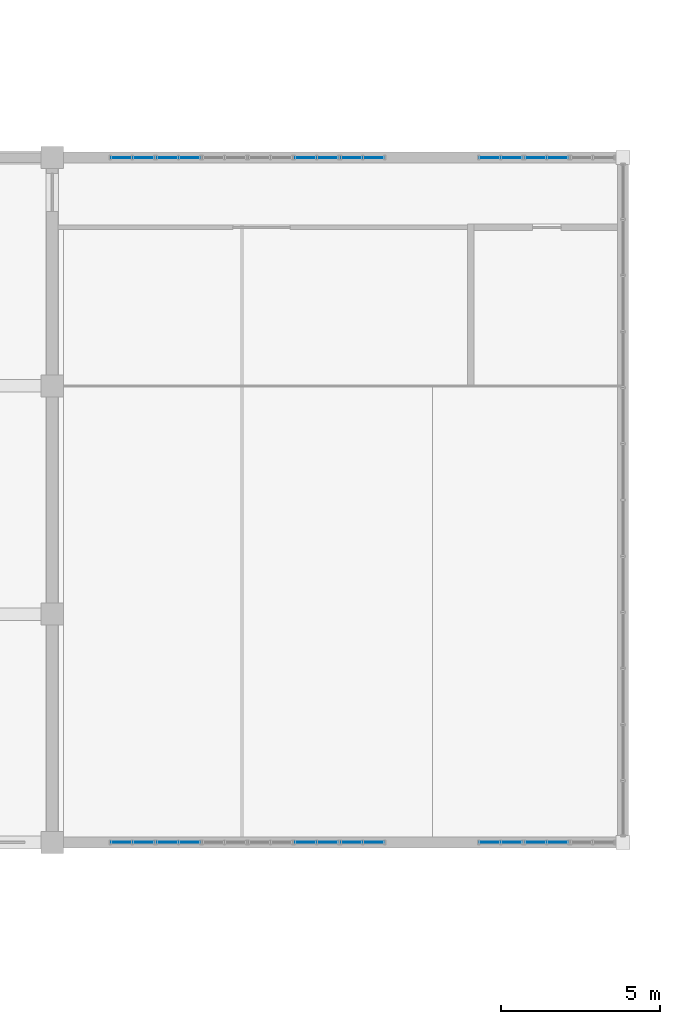
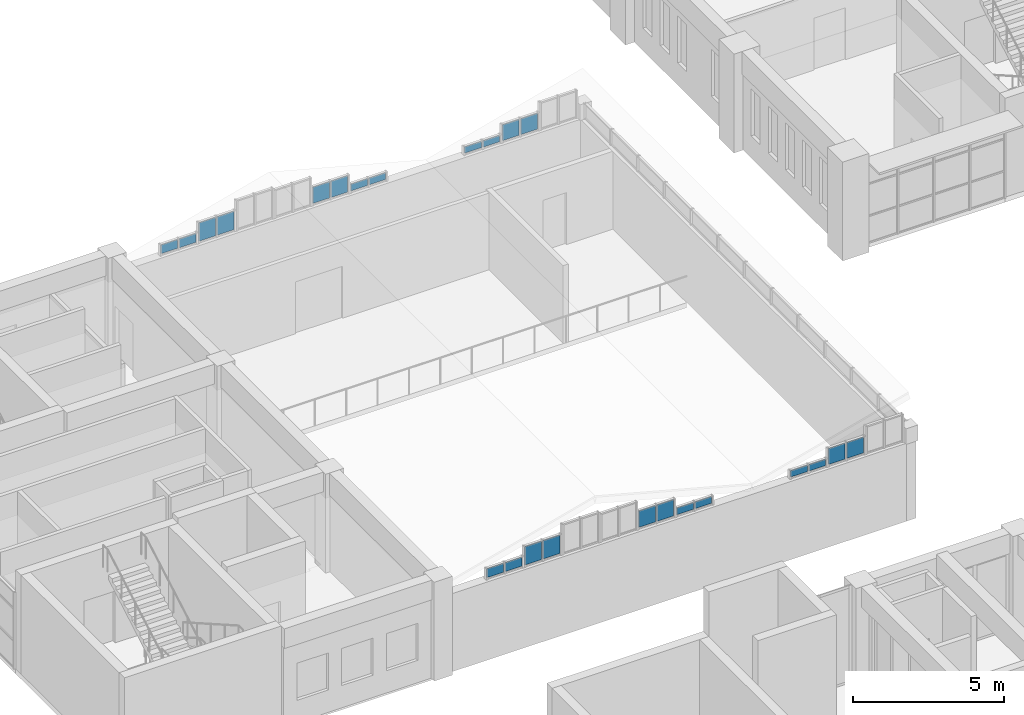
# One storey, part 59 of 92: 24 plates, 12 elements without a shape of their own.
"""IFC4 building model written with IfcOpenShell, lengths in metres."""

from ifc_helpers import new_model, si_unit, direction, frame, origin, origin_2d, place, context, subcontext, project, spatial, rectangle, extrude, material, layer, layer_set, type_object, element, aggregate, save


model = new_model("IFC4")

# Units and contexts
model_context = context("Model", 3, precision=1e-05, world=origin(), true_north=direction((0.0, 1.0)))
body_context = subcontext(model_context, "Body", "Model", "MODEL_VIEW")
ifc_project = project(units=[si_unit("LENGTHUNIT", "METRE"), si_unit("AREAUNIT", "SQUARE_METRE"), si_unit("VOLUMEUNIT", "CUBIC_METRE"), si_unit("PLANEANGLEUNIT", "RADIAN"), si_unit("MASSUNIT", "GRAM", prefix="KILO")], contexts=[model_context])

# Site, building, storey
site_placement = place(None, origin())
site = spatial("IfcSite", under=ifc_project, at=site_placement, CompositionType="ELEMENT")
building_placement = place(site_placement, origin())
building = spatial("IfcBuilding", under=site, at=building_placement, Name="Laocheng Heights Fire and Rescue Headquarters", CompositionType="ELEMENT")
storey_placement = place(building_placement, frame((0.0, 0.0, 12.60009765625)))
storey = spatial("IfcBuildingStorey", under=building, at=storey_placement, Name="L03", CompositionType="ELEMENT", Elevation=12.60009765625)

# Curtain wall, plates
ifc_material_1 = material(Name="Dark anodised aluminium unitised curtain wall, low-e double glazing", Category="aluminium")
curtain_wall_type_1 = type_object("IfcCurtainWallType", Name="CW 1452 x 453 THEATRE GABLE UNIT", PredefinedType="NOTDEFINED", material=ifc_material_1)
curtain_wall_1_placement = place(storey_placement, origin())
curtain_wall_1 = element("IfcCurtainWall", 1, at=curtain_wall_1_placement, inside=storey, type_object=curtain_wall_type_1, Name="X6-V THEATRE SOUTH GABLE 2", PredefinedType="NOTDEFINED")
ifc_material_2 = material(Name="Low-e double glazed unit, laminated inner pane")
ifc_layer = layer(ifc_material_2, 0.028076171875)
ifc_layer_set = layer_set([ifc_layer], Name="Low-e double glazed unit, laminated inner pane")
plate_type = type_object("IfcPlateType", Name="CW VISION PANEL 28 V", PredefinedType="CURTAIN_PANEL", material=ifc_layer_set)
plate_1_placement = place(storey_placement, frame((14.18017578125, 36.0, 3.20849609375), z_axis=(0.0, 0.0, 1.0), x_axis=(1.0, 0.0, 0.0)))
plate_1 = element("IfcPlate", 2, at=plate_1_placement, type_object=plate_type, Name="X6-V panel 1.1", PredefinedType="CURTAIN_PANEL", context=body_context, shape_type="SweptSolid", body=[
    extrude(rectangle(XDim=0.635986328125, YDim=0.028076171875, at=origin_2d()), origin(), (0.0, 0.0, 1.0), 0.353271484375),
])
plate_2_placement = place(storey_placement, frame((14.876220703125, 36.0, 3.20849609375), z_axis=(0.0, 0.0, 1.0), x_axis=(1.0, 0.0, 0.0)))
plate_2 = element("IfcPlate", 3, at=plate_2_placement, type_object=plate_type, Name="X6-V panel 2.1", PredefinedType="CURTAIN_PANEL", context=body_context, shape_type="SweptSolid", body=[
    extrude(rectangle(XDim=0.635986328125, YDim=0.028076171875, at=origin_2d()), origin(), (0.0, 0.0, 1.0), 0.353271484375),
])
aggregate(curtain_wall_1, [plate_1, plate_2])

ifc_material_3 = material(Name="Dark anodised aluminium unitised curtain wall, low-e double glazing", Category="aluminium")
curtain_wall_type_2 = type_object("IfcCurtainWallType", Name="CW 1452 x 841 THEATRE GABLE UNIT", PredefinedType="NOTDEFINED", material=ifc_material_3)
curtain_wall_2_placement = place(storey_placement, origin())
curtain_wall_2 = element("IfcCurtainWall", 4, at=curtain_wall_2_placement, inside=storey, type_object=curtain_wall_type_2, Name="X7-V THEATRE SOUTH GABLE 3", PredefinedType="NOTDEFINED")
plate_3_placement = place(storey_placement, frame((15.632080078125, 36.0, 3.20849609375), z_axis=(0.0, 0.0, 1.0), x_axis=(1.0, 0.0, 0.0)))
plate_3 = element("IfcPlate", 5, at=plate_3_placement, type_object=plate_type, Name="X7-V panel 1.1", PredefinedType="CURTAIN_PANEL", context=body_context, shape_type="SweptSolid", body=[
    extrude(rectangle(XDim=0.635986328125, YDim=0.028076171875, at=origin_2d()), origin(), (0.0, 0.0, 1.0), 0.740478515625),
])
plate_4_placement = place(storey_placement, frame((16.328125, 36.0, 3.20849609375), z_axis=(0.0, 0.0, 1.0), x_axis=(1.0, 0.0, 0.0)))
plate_4 = element("IfcPlate", 6, at=plate_4_placement, type_object=plate_type, Name="X7-V panel 2.1", PredefinedType="CURTAIN_PANEL", context=body_context, shape_type="SweptSolid", body=[
    extrude(rectangle(XDim=0.635986328125, YDim=0.028076171875, at=origin_2d()), origin(), (0.0, 0.0, 1.0), 0.740478515625),
])
aggregate(curtain_wall_2, [plate_3, plate_4])

ifc_material_4 = material(Name="Dark anodised aluminium unitised curtain wall, low-e double glazing", Category="aluminium")
curtain_wall_type_3 = type_object("IfcCurtainWallType", Name="CW 1452 x 756 THEATRE GABLE UNIT", PredefinedType="NOTDEFINED", material=ifc_material_4)
curtain_wall_3_placement = place(storey_placement, origin())
curtain_wall_3 = element("IfcCurtainWall", 7, at=curtain_wall_3_placement, inside=storey, type_object=curtain_wall_type_3, Name="X10-V THEATRE SOUTH GABLE 6", PredefinedType="NOTDEFINED")
plate_5_placement = place(storey_placement, frame((19.988525390625, 36.0, 3.20849609375), z_axis=(0.0, 0.0, 1.0), x_axis=(1.0, 0.0, 0.0)))
plate_5 = element("IfcPlate", 8, at=plate_5_placement, type_object=plate_type, Name="X10-V panel 1.1", PredefinedType="CURTAIN_PANEL", context=body_context, shape_type="SweptSolid", body=[
    extrude(rectangle(XDim=0.635986328125, YDim=0.028076171875, at=origin_2d()), origin(), (0.0, 0.0, 1.0), 0.656005859375),
])
plate_6_placement = place(storey_placement, frame((20.6845703125, 36.0, 3.20849609375), z_axis=(0.0, 0.0, 1.0), x_axis=(1.0, 0.0, 0.0)))
plate_6 = element("IfcPlate", 9, at=plate_6_placement, type_object=plate_type, Name="X10-V panel 2.1", PredefinedType="CURTAIN_PANEL", context=body_context, shape_type="SweptSolid", body=[
    extrude(rectangle(XDim=0.635986328125, YDim=0.028076171875, at=origin_2d()), origin(), (0.0, 0.0, 1.0), 0.656005859375),
])
aggregate(curtain_wall_3, [plate_5, plate_6])

ifc_material_5 = material(Name="Dark anodised aluminium unitised curtain wall, low-e double glazing", Category="aluminium")
curtain_wall_type_4 = type_object("IfcCurtainWallType", Name="CW 1452 x 369 THEATRE GABLE UNIT", PredefinedType="NOTDEFINED", material=ifc_material_5)
curtain_wall_4_placement = place(storey_placement, origin())
curtain_wall_4 = element("IfcCurtainWall", 10, at=curtain_wall_4_placement, inside=storey, type_object=curtain_wall_type_4, Name="X11-V THEATRE SOUTH GABLE 7", PredefinedType="NOTDEFINED")
plate_7_placement = place(storey_placement, frame((21.4404296875, 36.0, 3.20849609375), z_axis=(0.0, 0.0, 1.0), x_axis=(1.0, 0.0, 0.0)))
plate_7 = element("IfcPlate", 11, at=plate_7_placement, type_object=plate_type, Name="X11-V panel 1.1", PredefinedType="CURTAIN_PANEL", context=body_context, shape_type="SweptSolid", body=[
    extrude(rectangle(XDim=0.635986328125, YDim=0.028076171875, at=origin_2d()), origin(), (0.0, 0.0, 1.0), 0.268798828125),
])
plate_8_placement = place(storey_placement, frame((22.136474609375, 36.0, 3.20849609375), z_axis=(0.0, 0.0, 1.0), x_axis=(1.0, 0.0, 0.0)))
plate_8 = element("IfcPlate", 12, at=plate_8_placement, type_object=plate_type, Name="X11-V panel 2.1", PredefinedType="CURTAIN_PANEL", context=body_context, shape_type="SweptSolid", body=[
    extrude(rectangle(XDim=0.635986328125, YDim=0.028076171875, at=origin_2d()), origin(), (0.0, 0.0, 1.0), 0.268798828125),
])
aggregate(curtain_wall_4, [plate_7, plate_8])

ifc_material_6 = material(Name="Dark anodised aluminium unitised curtain wall, low-e double glazing", Category="aluminium")
curtain_wall_type_5 = type_object("IfcCurtainWallType", Name="CW 1452 x 351 THEATRE GABLE UNIT", PredefinedType="NOTDEFINED", material=ifc_material_6)
curtain_wall_5_placement = place(storey_placement, origin())
curtain_wall_5 = element("IfcCurtainWall", 13, at=curtain_wall_5_placement, inside=storey, type_object=curtain_wall_type_5, Name="X12-V THEATRE SOUTH GABLE 10", PredefinedType="NOTDEFINED")
plate_9_placement = place(storey_placement, frame((25.796630859375, 36.0, 3.20849609375), z_axis=(0.0, 0.0, 1.0), x_axis=(1.0, 0.0, 0.0)))
plate_9 = element("IfcPlate", 14, at=plate_9_placement, type_object=plate_type, Name="X12-V panel 1.1", PredefinedType="CURTAIN_PANEL", context=body_context, shape_type="SweptSolid", body=[
    extrude(rectangle(XDim=0.635986328125, YDim=0.028076171875, at=origin_2d()), origin(), (0.0, 0.0, 1.0), 0.251220703125),
])
plate_10_placement = place(storey_placement, frame((26.49267578125, 36.0, 3.20849609375), z_axis=(0.0, 0.0, 1.0), x_axis=(1.0, 0.0, 0.0)))
plate_10 = element("IfcPlate", 15, at=plate_10_placement, type_object=plate_type, Name="X12-V panel 2.1", PredefinedType="CURTAIN_PANEL", context=body_context, shape_type="SweptSolid", body=[
    extrude(rectangle(XDim=0.635986328125, YDim=0.028076171875, at=origin_2d()), origin(), (0.0, 0.0, 1.0), 0.251220703125),
])
aggregate(curtain_wall_5, [plate_9, plate_10])

ifc_material_7 = material(Name="Dark anodised aluminium unitised curtain wall, low-e double glazing", Category="aluminium")
curtain_wall_type_6 = type_object("IfcCurtainWallType", Name="CW 1452 x 738 THEATRE GABLE UNIT", PredefinedType="NOTDEFINED", material=ifc_material_7)
curtain_wall_6_placement = place(storey_placement, origin())
curtain_wall_6 = element("IfcCurtainWall", 16, at=curtain_wall_6_placement, inside=storey, type_object=curtain_wall_type_6, Name="X13-V THEATRE SOUTH GABLE 11", PredefinedType="NOTDEFINED")
plate_11_placement = place(storey_placement, frame((27.248779296875, 36.0, 3.20849609375), z_axis=(0.0, 0.0, 1.0), x_axis=(1.0, 0.0, 0.0)))
plate_11 = element("IfcPlate", 17, at=plate_11_placement, type_object=plate_type, Name="X13-V panel 1.1", PredefinedType="CURTAIN_PANEL", context=body_context, shape_type="SweptSolid", body=[
    extrude(rectangle(XDim=0.635986328125, YDim=0.028076171875, at=origin_2d()), origin(), (0.0, 0.0, 1.0), 0.63818359375),
])
plate_12_placement = place(storey_placement, frame((27.94482421875, 36.0, 3.20849609375), z_axis=(0.0, 0.0, 1.0), x_axis=(1.0, 0.0, 0.0)))
plate_12 = element("IfcPlate", 18, at=plate_12_placement, type_object=plate_type, Name="X13-V panel 2.1", PredefinedType="CURTAIN_PANEL", context=body_context, shape_type="SweptSolid", body=[
    extrude(rectangle(XDim=0.635986328125, YDim=0.028076171875, at=origin_2d()), origin(), (0.0, 0.0, 1.0), 0.63818359375),
])
aggregate(curtain_wall_6, [plate_11, plate_12])

curtain_wall_7_placement = place(storey_placement, origin())
curtain_wall_7 = element("IfcCurtainWall", 19, at=curtain_wall_7_placement, inside=storey, type_object=curtain_wall_type_1, Name="X6-V THEATRE NORTH GABLE 2", PredefinedType="NOTDEFINED")
plate_13_placement = place(storey_placement, frame((14.18017578125, 57.60009765625, 3.20849609375), z_axis=(0.0, 0.0, 1.0), x_axis=(1.0, 0.0, 0.0)))
plate_13 = element("IfcPlate", 20, at=plate_13_placement, type_object=plate_type, Name="X6-V panel 1.1", PredefinedType="CURTAIN_PANEL", context=body_context, shape_type="SweptSolid", body=[
    extrude(rectangle(XDim=0.635986328125, YDim=0.028076171875, at=origin_2d()), origin(), (0.0, 0.0, 1.0), 0.353271484375),
])
plate_14_placement = place(storey_placement, frame((14.876220703125, 57.60009765625, 3.20849609375), z_axis=(0.0, 0.0, 1.0), x_axis=(1.0, 0.0, 0.0)))
plate_14 = element("IfcPlate", 21, at=plate_14_placement, type_object=plate_type, Name="X6-V panel 2.1", PredefinedType="CURTAIN_PANEL", context=body_context, shape_type="SweptSolid", body=[
    extrude(rectangle(XDim=0.635986328125, YDim=0.028076171875, at=origin_2d()), origin(), (0.0, 0.0, 1.0), 0.353271484375),
])
aggregate(curtain_wall_7, [plate_13, plate_14])

curtain_wall_8_placement = place(storey_placement, origin())
curtain_wall_8 = element("IfcCurtainWall", 22, at=curtain_wall_8_placement, inside=storey, type_object=curtain_wall_type_2, Name="X7-V THEATRE NORTH GABLE 3", PredefinedType="NOTDEFINED")
plate_15_placement = place(storey_placement, frame((15.632080078125, 57.60009765625, 3.20849609375), z_axis=(0.0, 0.0, 1.0), x_axis=(1.0, 0.0, 0.0)))
plate_15 = element("IfcPlate", 23, at=plate_15_placement, type_object=plate_type, Name="X7-V panel 1.1", PredefinedType="CURTAIN_PANEL", context=body_context, shape_type="SweptSolid", body=[
    extrude(rectangle(XDim=0.635986328125, YDim=0.028076171875, at=origin_2d()), origin(), (0.0, 0.0, 1.0), 0.740478515625),
])
plate_16_placement = place(storey_placement, frame((16.328125, 57.60009765625, 3.20849609375), z_axis=(0.0, 0.0, 1.0), x_axis=(1.0, 0.0, 0.0)))
plate_16 = element("IfcPlate", 24, at=plate_16_placement, type_object=plate_type, Name="X7-V panel 2.1", PredefinedType="CURTAIN_PANEL", context=body_context, shape_type="SweptSolid", body=[
    extrude(rectangle(XDim=0.635986328125, YDim=0.028076171875, at=origin_2d()), origin(), (0.0, 0.0, 1.0), 0.740478515625),
])
aggregate(curtain_wall_8, [plate_15, plate_16])

curtain_wall_9_placement = place(storey_placement, origin())
curtain_wall_9 = element("IfcCurtainWall", 25, at=curtain_wall_9_placement, inside=storey, type_object=curtain_wall_type_3, Name="X10-V THEATRE NORTH GABLE 6", PredefinedType="NOTDEFINED")
plate_17_placement = place(storey_placement, frame((19.988525390625, 57.60009765625, 3.20849609375), z_axis=(0.0, 0.0, 1.0), x_axis=(1.0, 0.0, 0.0)))
plate_17 = element("IfcPlate", 26, at=plate_17_placement, type_object=plate_type, Name="X10-V panel 1.1", PredefinedType="CURTAIN_PANEL", context=body_context, shape_type="SweptSolid", body=[
    extrude(rectangle(XDim=0.635986328125, YDim=0.028076171875, at=origin_2d()), origin(), (0.0, 0.0, 1.0), 0.656005859375),
])
plate_18_placement = place(storey_placement, frame((20.6845703125, 57.60009765625, 3.20849609375), z_axis=(0.0, 0.0, 1.0), x_axis=(1.0, 0.0, 0.0)))
plate_18 = element("IfcPlate", 27, at=plate_18_placement, type_object=plate_type, Name="X10-V panel 2.1", PredefinedType="CURTAIN_PANEL", context=body_context, shape_type="SweptSolid", body=[
    extrude(rectangle(XDim=0.635986328125, YDim=0.028076171875, at=origin_2d()), origin(), (0.0, 0.0, 1.0), 0.656005859375),
])
aggregate(curtain_wall_9, [plate_17, plate_18])

curtain_wall_10_placement = place(storey_placement, origin())
curtain_wall_10 = element("IfcCurtainWall", 28, at=curtain_wall_10_placement, inside=storey, type_object=curtain_wall_type_4, Name="X11-V THEATRE NORTH GABLE 7", PredefinedType="NOTDEFINED")
plate_19_placement = place(storey_placement, frame((21.4404296875, 57.60009765625, 3.20849609375), z_axis=(0.0, 0.0, 1.0), x_axis=(1.0, 0.0, 0.0)))
plate_19 = element("IfcPlate", 29, at=plate_19_placement, type_object=plate_type, Name="X11-V panel 1.1", PredefinedType="CURTAIN_PANEL", context=body_context, shape_type="SweptSolid", body=[
    extrude(rectangle(XDim=0.635986328125, YDim=0.028076171875, at=origin_2d()), origin(), (0.0, 0.0, 1.0), 0.268798828125),
])
plate_20_placement = place(storey_placement, frame((22.136474609375, 57.60009765625, 3.20849609375), z_axis=(0.0, 0.0, 1.0), x_axis=(1.0, 0.0, 0.0)))
plate_20 = element("IfcPlate", 30, at=plate_20_placement, type_object=plate_type, Name="X11-V panel 2.1", PredefinedType="CURTAIN_PANEL", context=body_context, shape_type="SweptSolid", body=[
    extrude(rectangle(XDim=0.635986328125, YDim=0.028076171875, at=origin_2d()), origin(), (0.0, 0.0, 1.0), 0.268798828125),
])
aggregate(curtain_wall_10, [plate_19, plate_20])

curtain_wall_11_placement = place(storey_placement, origin())
curtain_wall_11 = element("IfcCurtainWall", 31, at=curtain_wall_11_placement, inside=storey, type_object=curtain_wall_type_5, Name="X12-V THEATRE NORTH GABLE 10", PredefinedType="NOTDEFINED")
plate_21_placement = place(storey_placement, frame((25.796630859375, 57.60009765625, 3.20849609375), z_axis=(0.0, 0.0, 1.0), x_axis=(1.0, 0.0, 0.0)))
plate_21 = element("IfcPlate", 32, at=plate_21_placement, type_object=plate_type, Name="X12-V panel 1.1", PredefinedType="CURTAIN_PANEL", context=body_context, shape_type="SweptSolid", body=[
    extrude(rectangle(XDim=0.635986328125, YDim=0.028076171875, at=origin_2d()), origin(), (0.0, 0.0, 1.0), 0.251220703125),
])
plate_22_placement = place(storey_placement, frame((26.49267578125, 57.60009765625, 3.20849609375), z_axis=(0.0, 0.0, 1.0), x_axis=(1.0, 0.0, 0.0)))
plate_22 = element("IfcPlate", 33, at=plate_22_placement, type_object=plate_type, Name="X12-V panel 2.1", PredefinedType="CURTAIN_PANEL", context=body_context, shape_type="SweptSolid", body=[
    extrude(rectangle(XDim=0.635986328125, YDim=0.028076171875, at=origin_2d()), origin(), (0.0, 0.0, 1.0), 0.251220703125),
])
aggregate(curtain_wall_11, [plate_21, plate_22])

curtain_wall_12_placement = place(storey_placement, origin())
curtain_wall_12 = element("IfcCurtainWall", 34, at=curtain_wall_12_placement, inside=storey, type_object=curtain_wall_type_6, Name="X13-V THEATRE NORTH GABLE 11", PredefinedType="NOTDEFINED")
plate_23_placement = place(storey_placement, frame((27.248779296875, 57.60009765625, 3.20849609375), z_axis=(0.0, 0.0, 1.0), x_axis=(1.0, 0.0, 0.0)))
plate_23 = element("IfcPlate", 35, at=plate_23_placement, type_object=plate_type, Name="X13-V panel 1.1", PredefinedType="CURTAIN_PANEL", context=body_context, shape_type="SweptSolid", body=[
    extrude(rectangle(XDim=0.635986328125, YDim=0.028076171875, at=origin_2d()), origin(), (0.0, 0.0, 1.0), 0.63818359375),
])
plate_24_placement = place(storey_placement, frame((27.94482421875, 57.60009765625, 3.20849609375), z_axis=(0.0, 0.0, 1.0), x_axis=(1.0, 0.0, 0.0)))
plate_24 = element("IfcPlate", 36, at=plate_24_placement, type_object=plate_type, Name="X13-V panel 2.1", PredefinedType="CURTAIN_PANEL", context=body_context, shape_type="SweptSolid", body=[
    extrude(rectangle(XDim=0.635986328125, YDim=0.028076171875, at=origin_2d()), origin(), (0.0, 0.0, 1.0), 0.63818359375),
])
aggregate(curtain_wall_12, [plate_23, plate_24])

save(model, "model.ifc")
